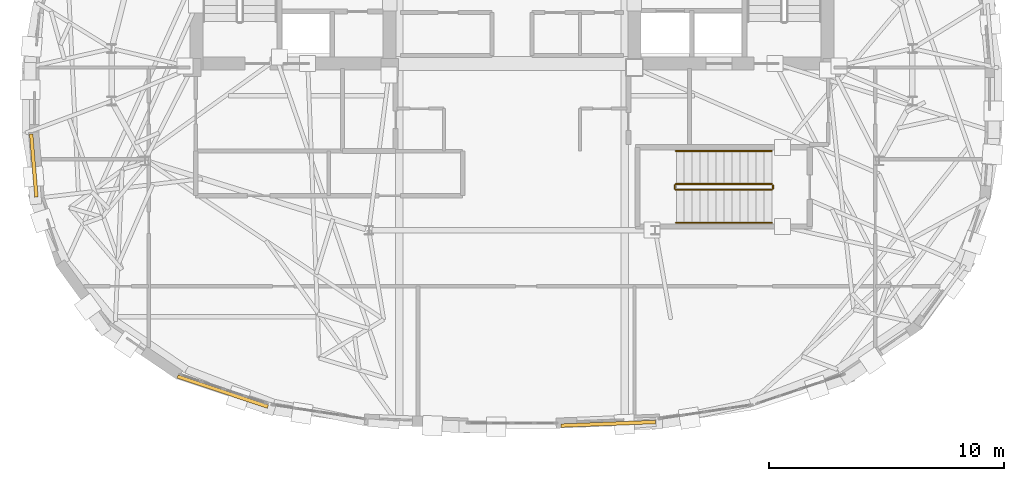
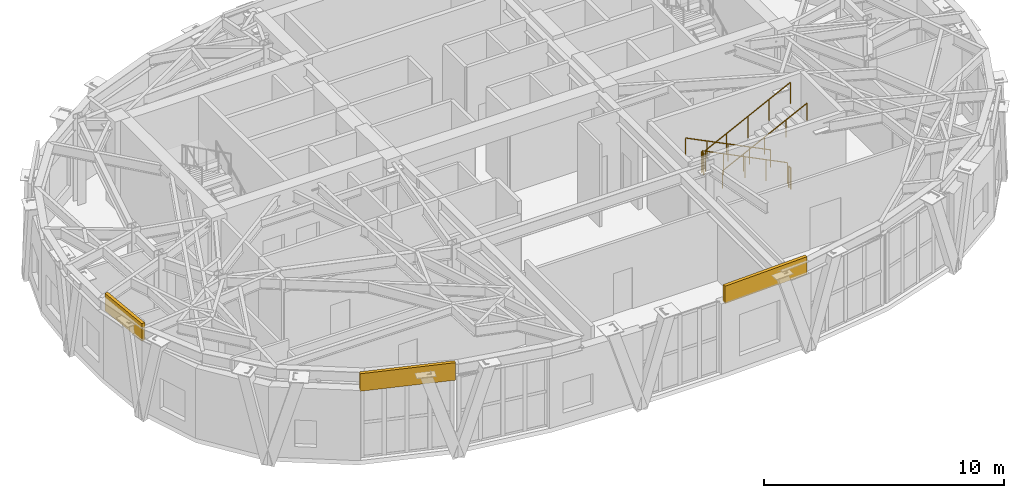
# One storey, part 14 of 16: 6 railings, 3 coverings.
"""IFC4 building model written with IfcOpenShell, lengths in metres."""

from ifc_helpers import new_model, si_unit, direction, frame, origin, origin_2d, place, context, subcontext, project, spatial, rectangle, circle, extrude, material, layer, layer_set, type_object, element, save


model = new_model("IFC4")

# Units and contexts
model_context = context("Model", 3, precision=1e-05, world=origin(), true_north=direction((0.0, 1.0)))
body_context = subcontext(model_context, "Body", "Model", "MODEL_VIEW")
ifc_project = project(units=[si_unit("LENGTHUNIT", "METRE"), si_unit("AREAUNIT", "SQUARE_METRE"), si_unit("VOLUMEUNIT", "CUBIC_METRE"), si_unit("PLANEANGLEUNIT", "RADIAN"), si_unit("MASSUNIT", "GRAM", prefix="KILO")], contexts=[model_context])

# Site, building, storey
site_placement = place(None, origin())
site = spatial("IfcSite", under=ifc_project, at=site_placement, CompositionType="ELEMENT")
building_placement = place(site_placement, origin())
building = spatial("IfcBuilding", under=site, at=building_placement, Name="Keldmark Tower", CompositionType="ELEMENT")
storey_placement = place(building_placement, frame((0.0, 0.0, 264.800048828125)))
storey = spatial("IfcBuildingStorey", under=building, at=storey_placement, Name="L75", CompositionType="ELEMENT", Elevation=264.800048828125)

# Coverings
ifc_material_1 = material(Name="Honed Kasota Buff Dolomitic Limestone", Category="masonry")
ifc_layer = layer(ifc_material_1, 0.074951171875)
ifc_layer_set = layer_set([ifc_layer], Name="Honed Kasota Buff Dolomitic Limestone")
covering_type = type_object("IfcCoveringType", Name="Kasota Buff Limestone Spandrel Cladding Band", PredefinedType="CLADDING", material=ifc_layer_set)
covering_1_placement = place(storey_placement, frame((-20.333740234375, -2.76708984375, 3.490234375), z_axis=(0.0, 0.0, 1.0), x_axis=(0.083677843332, -0.99649285925, 0.0)))
element("IfcCovering", 1, at=covering_1_placement, inside=storey, type_object=covering_type, Name="L75 Kasota Limestone Spandrel Band 17", PredefinedType="CLADDING", context=body_context, shape_type="SweptSolid", body=[
    extrude(rectangle(XDim=2.697021484375, YDim=0.14990234375, at=origin_2d()), origin(), (0.0, 0.0, 1.0), 0.889892578125),
])
covering_2_placement = place(storey_placement, frame((-12.301513671875, -12.377197265625, 3.490234375), z_axis=(0.0, 0.0, 1.0), x_axis=(0.948506252266, -0.316758408591, 0.0)))
element("IfcCovering", 2, at=covering_2_placement, inside=storey, type_object=covering_type, Name="L75 Kasota Limestone Spandrel Band 21", PredefinedType="CLADDING", context=body_context, shape_type="SweptSolid", body=[
    extrude(rectangle(XDim=4.044921875, YDim=0.14990234375, at=origin_2d()), origin(), (0.0, 0.0, 1.0), 0.889892578125),
])
covering_3_placement = place(storey_placement, frame((4.091064453125, -13.749267578125, 3.490234375), z_axis=(0.0, 0.0, 1.0), x_axis=(0.999256201254, 0.038562212782, 0.0)))
element("IfcCovering", 3, at=covering_3_placement, inside=storey, type_object=covering_type, Name="L75 Kasota Limestone Spandrel Band 25", PredefinedType="CLADDING", context=body_context, shape_type="SweptSolid", body=[
    extrude(rectangle(XDim=4.023681640625, YDim=0.14990234375, at=origin_2d()), origin(), (0.0, 0.0, 1.0), 0.889892578125),
])

# Railings
ifc_material_2 = material(Name="Painted Steel ASTM A500 Grade B", Category="steel")
railing_type_1 = type_object("IfcRailingType", Name="Painted Steel Stair Well Guard 1100 mm", PredefinedType="GUARDRAIL", material=ifc_material_2)
railing_1_placement = place(storey_placement, frame((11.050048828125, -3.550048828125, 0.169189453125)))
element("IfcRailing", 4, at=railing_1_placement, inside=storey, type_object=railing_type_1, Name="L75 ST4 stair guard 1", PredefinedType="GUARDRAIL", context=body_context, shape_type="SweptSolid", body=[
    extrude(circle(Radius=0.02392578125, at=origin_2d()), frame((0.0, 0.0, 1.076171875), z_axis=(-0.895239952593, 0.0, 0.445584366064), x_axis=(0.0, -1.0, 0.0)), (0.0, 0.0, 1.0), 4.5576171875),
    extrude(circle(Radius=0.02099609375, at=origin_2d()), origin(), (0.0, 0.0, 1.0), 1.052001953125),
    extrude(circle(Radius=0.02099609375, at=origin_2d()), frame((-1.02001953125, 0.0, 0.5078125)), (0.0, 0.0, 1.0), 1.052001953125),
    extrude(circle(Radius=0.02099609375, at=origin_2d()), frame((-2.0400390625, 0.0, 1.015380859375)), (0.0, 0.0, 1.0), 1.052001953125),
    extrude(circle(Radius=0.02099609375, at=origin_2d()), frame((-3.06005859375, 0.0, 1.52294921875)), (0.0, 0.0, 1.0), 1.052001953125),
    extrude(circle(Radius=0.02099609375, at=origin_2d()), frame((-4.080078125, 0.0, 2.03076171875)), (0.0, 0.0, 1.0), 1.052001953125),
])
railing_2_placement = place(storey_placement, frame((6.919921875, -3.60009765625, 2.199951171875)))
element("IfcRailing", 5, at=railing_2_placement, inside=storey, type_object=railing_type_1, Name="L75 ST4 stair guard 2", PredefinedType="GUARDRAIL", context=body_context, shape_type="SweptSolid", body=[
    extrude(circle(Radius=0.02392578125, at=origin_2d()), frame((0.0, 0.0, 1.076171875), z_axis=(0.0, -1.0, 0.0), x_axis=(1.0, 0.0, 0.0)), (0.0, 0.0, 1.0), 0.14990234375),
    extrude(circle(Radius=0.02099609375, at=origin_2d()), origin(), (0.0, 0.0, 1.0), 1.052001953125),
    extrude(circle(Radius=0.02099609375, at=origin_2d()), frame((0.0, -0.14990234375, 0.0)), (0.0, 0.0, 1.0), 1.052001953125),
])
railing_3_placement = place(storey_placement, frame((6.969970703125, -3.800048828125, 2.369140625)))
element("IfcRailing", 6, at=railing_3_placement, inside=storey, type_object=railing_type_1, Name="L75 ST4 stair guard 3", PredefinedType="GUARDRAIL", context=body_context, shape_type="SweptSolid", body=[
    extrude(circle(Radius=0.02392578125, at=origin_2d()), frame((0.0, 0.0, 1.076171875), z_axis=(0.895239952593, 0.0, 0.445584366064), x_axis=(0.0, 1.0, 0.0)), (0.0, 0.0, 1.0), 4.5576171875),
    extrude(circle(Radius=0.02099609375, at=origin_2d()), origin(), (0.0, 0.0, 1.0), 1.052001953125),
    extrude(circle(Radius=0.02099609375, at=origin_2d()), frame((1.02001953125, 0.0, 0.5078125)), (0.0, 0.0, 1.0), 1.052001953125),
    extrude(circle(Radius=0.02099609375, at=origin_2d()), frame((2.0400390625, 0.0, 1.015380859375)), (0.0, 0.0, 1.0), 1.052001953125),
    extrude(circle(Radius=0.02099609375, at=origin_2d()), frame((3.06005859375, 0.0, 1.52294921875)), (0.0, 0.0, 1.0), 1.052001953125),
    extrude(circle(Radius=0.02099609375, at=origin_2d()), frame((4.080078125, 0.0, 2.03076171875)), (0.0, 0.0, 1.0), 1.052001953125),
])
railing_4_placement = place(storey_placement, frame((11.10009765625, -3.60009765625, 0.0)))
element("IfcRailing", 7, at=railing_4_placement, inside=storey, type_object=railing_type_1, Name="L75 ST4 stair guard 4", PredefinedType="GUARDRAIL", context=body_context, shape_type="SweptSolid", body=[
    extrude(circle(Radius=0.02392578125, at=origin_2d()), frame((0.0, 0.0, 1.076171875), z_axis=(0.0, -1.0, 0.0), x_axis=(1.0, 0.0, 0.0)), (0.0, 0.0, 1.0), 0.14990234375),
    extrude(circle(Radius=0.02099609375, at=origin_2d()), origin(), (0.0, 0.0, 1.0), 1.052001953125),
    extrude(circle(Radius=0.02099609375, at=origin_2d()), frame((0.0, -0.14990234375, 0.0)), (0.0, 0.0, 1.0), 1.052001953125),
])
ifc_material_3 = material(Name="Stainless Steel AISI 316L", Category="steel")
railing_type_2 = type_object("IfcRailingType", Name="Stainless Steel Stair Handrail 900 mm", PredefinedType="HANDRAIL", material=ifc_material_3)
railing_5_placement = place(storey_placement, frame((11.050048828125, -2.14990234375, 0.169189453125)))
element("IfcRailing", 8, at=railing_5_placement, inside=storey, type_object=railing_type_2, Name="L75 ST4 stair handrail 1", PredefinedType="HANDRAIL", context=body_context, shape_type="SweptSolid", body=[
    extrude(circle(Radius=0.02392578125, at=origin_2d()), frame((0.0, 0.0, 0.8759765625), z_axis=(-0.895239952593, 0.0, 0.445584366064), x_axis=(0.0, -1.0, 0.0)), (0.0, 0.0, 1.0), 4.5576171875),
    extrude(circle(Radius=0.02099609375, at=origin_2d()), origin(), (0.0, 0.0, 1.0), 0.851806640625),
    extrude(circle(Radius=0.02099609375, at=origin_2d()), frame((-1.02001953125, 0.0, 0.5078125)), (0.0, 0.0, 1.0), 0.851806640625),
    extrude(circle(Radius=0.02099609375, at=origin_2d()), frame((-2.0400390625, 0.0, 1.015380859375)), (0.0, 0.0, 1.0), 0.851806640625),
    extrude(circle(Radius=0.02099609375, at=origin_2d()), frame((-3.06005859375, 0.0, 1.52294921875)), (0.0, 0.0, 1.0), 0.851806640625),
    extrude(circle(Radius=0.02099609375, at=origin_2d()), frame((-4.080078125, 0.0, 2.03076171875)), (0.0, 0.0, 1.0), 0.851806640625),
])
railing_6_placement = place(storey_placement, frame((6.969970703125, -5.199951171875, 2.369140625)))
element("IfcRailing", 9, at=railing_6_placement, inside=storey, type_object=railing_type_2, Name="L75 ST4 stair handrail 2", PredefinedType="HANDRAIL", context=body_context, shape_type="SweptSolid", body=[
    extrude(circle(Radius=0.02392578125, at=origin_2d()), frame((0.0, 0.0, 0.8759765625), z_axis=(0.895239952593, 0.0, 0.445584366064), x_axis=(0.0, 1.0, 0.0)), (0.0, 0.0, 1.0), 4.5576171875),
    extrude(circle(Radius=0.02099609375, at=origin_2d()), origin(), (0.0, 0.0, 1.0), 0.851806640625),
    extrude(circle(Radius=0.02099609375, at=origin_2d()), frame((1.02001953125, 0.0, 0.5078125)), (0.0, 0.0, 1.0), 0.851806640625),
    extrude(circle(Radius=0.02099609375, at=origin_2d()), frame((2.0400390625, 0.0, 1.015380859375)), (0.0, 0.0, 1.0), 0.851806640625),
    extrude(circle(Radius=0.02099609375, at=origin_2d()), frame((3.06005859375, 0.0, 1.52294921875)), (0.0, 0.0, 1.0), 0.851806640625),
    extrude(circle(Radius=0.02099609375, at=origin_2d()), frame((4.080078125, 0.0, 2.03076171875)), (0.0, 0.0, 1.0), 0.851806640625),
])

save(model, "model.ifc")
